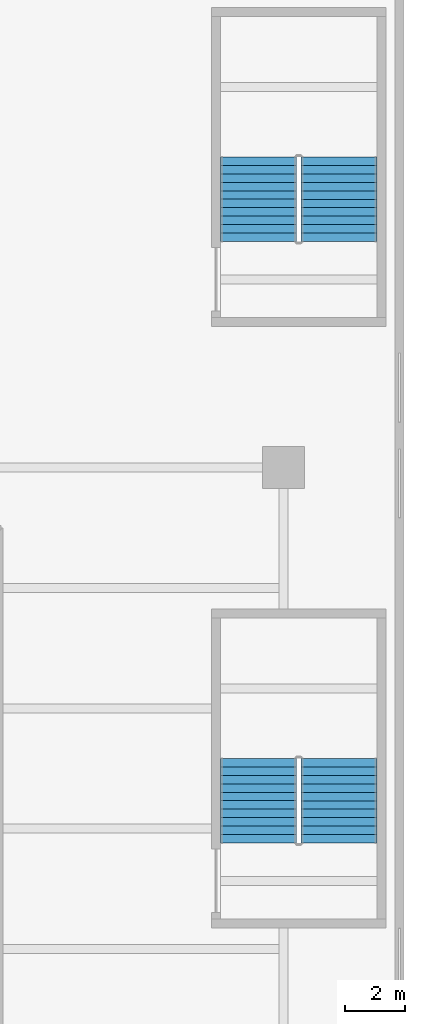
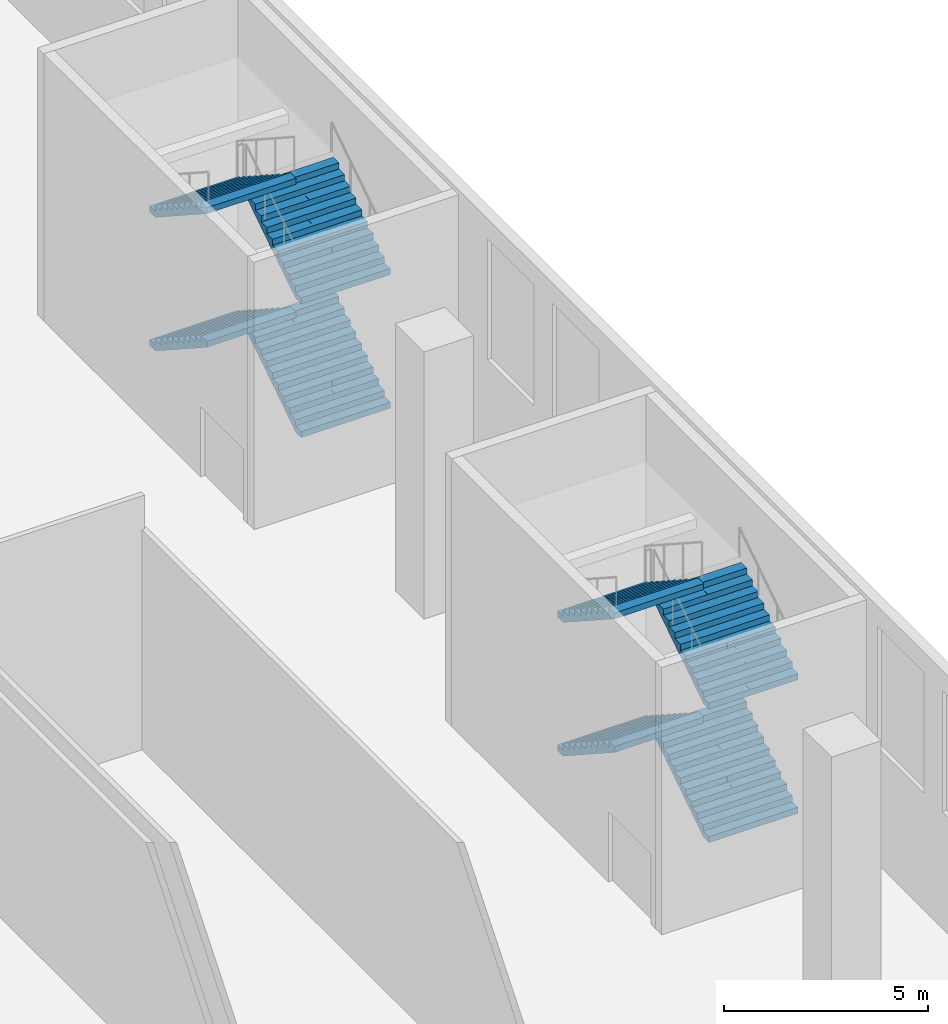
# One storey, part 16 of 27: 8 stair flights, 2 elements without a shape of their own.
"""IFC4 building model written with IfcOpenShell, lengths in metres."""

from ifc_helpers import new_model, si_unit, direction, frame, origin, place, context, subcontext, project, spatial, polyline, outline, extrude, material, type_object, element, aggregate, save


model = new_model("IFC4")

# Units and contexts
model_context = context("Model", 3, precision=1e-05, world=origin(), true_north=direction((0.0, 1.0)))
body_context = subcontext(model_context, "Body", "Model", "MODEL_VIEW")
ifc_project = project(units=[si_unit("LENGTHUNIT", "METRE"), si_unit("AREAUNIT", "SQUARE_METRE"), si_unit("VOLUMEUNIT", "CUBIC_METRE"), si_unit("PLANEANGLEUNIT", "RADIAN"), si_unit("MASSUNIT", "GRAM", prefix="KILO")], contexts=[model_context])

# Site, building, storey
site_placement = place(None, origin())
site = spatial("IfcSite", under=ifc_project, at=site_placement, CompositionType="ELEMENT")
building_placement = place(site_placement, origin())
building = spatial("IfcBuilding", under=site, at=building_placement, Name="Tel Ilan Convention Tower", CompositionType="ELEMENT")
storey_placement = place(building_placement, frame((0.0, 0.0, 18.0)))
storey = spatial("IfcBuildingStorey", under=building, at=storey_placement, Name="L02", CompositionType="ELEMENT", Elevation=18.0)

# Stair, stair flights
ifc_material_1 = material(Name="Concrete C40/50", Category="concrete")
stair_type = type_object("IfcStairType", Name="Pressurised Exit Stair 44 risers 182 mm", PredefinedType="HALF_TURN_STAIR", material=ifc_material_1)
stair_1_placement = place(storey_placement, origin())
stair_1 = element("IfcStair", 1, at=stair_1_placement, inside=storey, type_object=stair_type, Name="L02 Podium Exit Stair P6", PredefinedType="HALF_TURN_STAIR")
ifc_material_2 = material(Name="Precast Concrete C40/50", Category="concrete")
stair_flight_type = type_object("IfcStairFlightType", Name="Concrete Stair Flight 2525 mm 44 risers 182 mm", PredefinedType="STRAIGHT", material=ifc_material_2)
stair_flight_1_placement = place(storey_placement, frame((47.83740234375, -60.47509765625, 0.0), z_axis=(0.0, 0.0, 1.0), x_axis=(0.0, 1.0, 0.0)))
stair_flight_1 = element("IfcStairFlight", 2, at=stair_flight_1_placement, type_object=stair_flight_type, Name="P6 flight 1", NumberOfRisers=11, NumberOfTreads=10, PredefinedType="STRAIGHT", RiserHeight=0.181818182, TreadLength=0.28, context=body_context, shape_type="SweptSolid", body=[
    extrude(outline(polyline([(0.0, 0.0), (0.0, 0.181884765625), (0.280029296875, 0.181884765625), (0.280029296875, 0.363525390625), (0.56005859375, 0.363525390625), (0.56005859375, 0.54541015625), (0.840087890625, 0.54541015625), (0.840087890625, 0.727294921875), (1.1201171875, 0.727294921875), (1.1201171875, 0.9091796875), (1.39990234375, 0.9091796875), (1.39990234375, 1.0908203125), (1.679931640625, 1.0908203125), (1.679931640625, 1.272705078125), (1.9599609375, 1.272705078125), (1.9599609375, 1.45458984375), (2.239990234375, 1.45458984375), (2.239990234375, 1.636474609375), (2.52001953125, 1.636474609375), (2.52001953125, 1.818115234375), (2.800048828125, 1.818115234375), (2.800048828125, 2.0), (2.800048828125, 1.639404296875), (0.275146484375, 0.0), (0.0, 0.0)])), frame((0.0, -0.100341796875, 0.0), z_axis=(0.0, -1.0, 0.0), x_axis=(1.0, 0.0, 0.0)), (0.0, 0.0, 1.0), 1.162109375),
    extrude(outline(polyline([(0.0, 0.0), (0.0, 0.181884765625), (0.280029296875, 0.181884765625), (0.280029296875, 0.363525390625), (0.56005859375, 0.363525390625), (0.56005859375, 0.54541015625), (0.840087890625, 0.54541015625), (0.840087890625, 0.727294921875), (1.1201171875, 0.727294921875), (1.1201171875, 0.9091796875), (1.39990234375, 0.9091796875), (1.39990234375, 1.0908203125), (1.679931640625, 1.0908203125), (1.679931640625, 1.272705078125), (1.9599609375, 1.272705078125), (1.9599609375, 1.45458984375), (2.239990234375, 1.45458984375), (2.239990234375, 1.636474609375), (2.52001953125, 1.636474609375), (2.52001953125, 1.818115234375), (2.800048828125, 1.818115234375), (2.800048828125, 2.0), (2.800048828125, 1.639404296875), (0.275146484375, 0.0), (0.0, 0.0)])), frame((0.0, -0.000244140625, 0.0), z_axis=(0.0, -1.0, 0.0), x_axis=(1.0, 0.0, 0.0)), (0.0, 0.0, 1.0), 0.099609375),
    extrude(outline(polyline([(0.0, 0.0), (0.0, 0.181884765625), (0.280029296875, 0.181884765625), (0.280029296875, 0.363525390625), (0.56005859375, 0.363525390625), (0.56005859375, 0.54541015625), (0.840087890625, 0.54541015625), (0.840087890625, 0.727294921875), (1.1201171875, 0.727294921875), (1.1201171875, 0.9091796875), (1.39990234375, 0.9091796875), (1.39990234375, 1.0908203125), (1.679931640625, 1.0908203125), (1.679931640625, 1.272705078125), (1.9599609375, 1.272705078125), (1.9599609375, 1.45458984375), (2.239990234375, 1.45458984375), (2.239990234375, 1.636474609375), (2.52001953125, 1.636474609375), (2.52001953125, 1.818115234375), (2.800048828125, 1.818115234375), (2.800048828125, 2.0), (2.800048828125, 1.639404296875), (0.275146484375, 0.0), (0.0, 0.0)])), frame((0.0, 0.099853515625, 0.0), z_axis=(0.0, -1.0, 0.0), x_axis=(1.0, 0.0, 0.0)), (0.0, 0.0, 1.0), 0.099609375),
    extrude(outline(polyline([(0.0, 0.0), (0.0, 0.181884765625), (0.280029296875, 0.181884765625), (0.280029296875, 0.363525390625), (0.56005859375, 0.363525390625), (0.56005859375, 0.54541015625), (0.840087890625, 0.54541015625), (0.840087890625, 0.727294921875), (1.1201171875, 0.727294921875), (1.1201171875, 0.9091796875), (1.39990234375, 0.9091796875), (1.39990234375, 1.0908203125), (1.679931640625, 1.0908203125), (1.679931640625, 1.272705078125), (1.9599609375, 1.272705078125), (1.9599609375, 1.45458984375), (2.239990234375, 1.45458984375), (2.239990234375, 1.636474609375), (2.52001953125, 1.636474609375), (2.52001953125, 1.818115234375), (2.800048828125, 1.818115234375), (2.800048828125, 2.0), (2.800048828125, 1.639404296875), (0.275146484375, 0.0), (0.0, 0.0)])), frame((0.0, 1.262451171875, 0.0), z_axis=(0.0, -1.0, 0.0), x_axis=(1.0, 0.0, 0.0)), (0.0, 0.0, 1.0), 1.162109375),
])
stair_flight_2_placement = place(storey_placement, frame((45.16259765625, -57.675048828125, 2.0), z_axis=(0.0, 0.0, 1.0), x_axis=(0.0, -1.0, 0.0)))
stair_flight_2 = element("IfcStairFlight", 3, at=stair_flight_2_placement, type_object=stair_flight_type, Name="P6 flight 2", NumberOfRisers=11, NumberOfTreads=10, PredefinedType="STRAIGHT", RiserHeight=0.181818182, TreadLength=0.28, context=body_context, shape_type="SweptSolid", body=[
    extrude(outline(polyline([(0.0, 0.0), (0.0, 0.181884765625), (0.280029296875, 0.181884765625), (0.280029296875, 0.363525390625), (0.56005859375, 0.363525390625), (0.56005859375, 0.54541015625), (0.840087890625, 0.54541015625), (0.840087890625, 0.727294921875), (1.1201171875, 0.727294921875), (1.1201171875, 0.9091796875), (1.39990234375, 0.9091796875), (1.39990234375, 1.0908203125), (1.679931640625, 1.0908203125), (1.679931640625, 1.272705078125), (1.9599609375, 1.272705078125), (1.9599609375, 1.45458984375), (2.239990234375, 1.45458984375), (2.239990234375, 1.636474609375), (2.52001953125, 1.636474609375), (2.52001953125, 1.818115234375), (2.800048828125, 1.818115234375), (2.800048828125, 2.0), (2.800048828125, 1.639404296875), (0.275146484375, 0.0), (0.0, 0.0)])), frame((0.0, -0.100341796875, 0.0), z_axis=(0.0, -1.0, 0.0), x_axis=(1.0, 0.0, 0.0)), (0.0, 0.0, 1.0), 1.162109375),
    extrude(outline(polyline([(0.0, 0.0), (0.0, 0.181884765625), (0.280029296875, 0.181884765625), (0.280029296875, 0.363525390625), (0.56005859375, 0.363525390625), (0.56005859375, 0.54541015625), (0.840087890625, 0.54541015625), (0.840087890625, 0.727294921875), (1.1201171875, 0.727294921875), (1.1201171875, 0.9091796875), (1.39990234375, 0.9091796875), (1.39990234375, 1.0908203125), (1.679931640625, 1.0908203125), (1.679931640625, 1.272705078125), (1.9599609375, 1.272705078125), (1.9599609375, 1.45458984375), (2.239990234375, 1.45458984375), (2.239990234375, 1.636474609375), (2.52001953125, 1.636474609375), (2.52001953125, 1.818115234375), (2.800048828125, 1.818115234375), (2.800048828125, 2.0), (2.800048828125, 1.639404296875), (0.275146484375, 0.0), (0.0, 0.0)])), frame((0.0, -0.000244140625, 0.0), z_axis=(0.0, -1.0, 0.0), x_axis=(1.0, 0.0, 0.0)), (0.0, 0.0, 1.0), 0.099609375),
    extrude(outline(polyline([(0.0, 0.0), (0.0, 0.181884765625), (0.280029296875, 0.181884765625), (0.280029296875, 0.363525390625), (0.56005859375, 0.363525390625), (0.56005859375, 0.54541015625), (0.840087890625, 0.54541015625), (0.840087890625, 0.727294921875), (1.1201171875, 0.727294921875), (1.1201171875, 0.9091796875), (1.39990234375, 0.9091796875), (1.39990234375, 1.0908203125), (1.679931640625, 1.0908203125), (1.679931640625, 1.272705078125), (1.9599609375, 1.272705078125), (1.9599609375, 1.45458984375), (2.239990234375, 1.45458984375), (2.239990234375, 1.636474609375), (2.52001953125, 1.636474609375), (2.52001953125, 1.818115234375), (2.800048828125, 1.818115234375), (2.800048828125, 2.0), (2.800048828125, 1.639404296875), (0.275146484375, 0.0), (0.0, 0.0)])), frame((0.0, 0.099853515625, 0.0), z_axis=(0.0, -1.0, 0.0), x_axis=(1.0, 0.0, 0.0)), (0.0, 0.0, 1.0), 0.099609375),
    extrude(outline(polyline([(0.0, 0.0), (0.0, 0.181884765625), (0.280029296875, 0.181884765625), (0.280029296875, 0.363525390625), (0.56005859375, 0.363525390625), (0.56005859375, 0.54541015625), (0.840087890625, 0.54541015625), (0.840087890625, 0.727294921875), (1.1201171875, 0.727294921875), (1.1201171875, 0.9091796875), (1.39990234375, 0.9091796875), (1.39990234375, 1.0908203125), (1.679931640625, 1.0908203125), (1.679931640625, 1.272705078125), (1.9599609375, 1.272705078125), (1.9599609375, 1.45458984375), (2.239990234375, 1.45458984375), (2.239990234375, 1.636474609375), (2.52001953125, 1.636474609375), (2.52001953125, 1.818115234375), (2.800048828125, 1.818115234375), (2.800048828125, 2.0), (2.800048828125, 1.639404296875), (0.275146484375, 0.0), (0.0, 0.0)])), frame((0.0, 1.262451171875, 0.0), z_axis=(0.0, -1.0, 0.0), x_axis=(1.0, 0.0, 0.0)), (0.0, 0.0, 1.0), 1.162109375),
])
stair_flight_3_placement = place(storey_placement, frame((47.83740234375, -60.47509765625, 4.0), z_axis=(0.0, 0.0, 1.0), x_axis=(0.0, 1.0, 0.0)))
stair_flight_3 = element("IfcStairFlight", 4, at=stair_flight_3_placement, type_object=stair_flight_type, Name="P6 flight 3", NumberOfRisers=11, NumberOfTreads=10, PredefinedType="STRAIGHT", RiserHeight=0.181818182, TreadLength=0.28, context=body_context, shape_type="SweptSolid", body=[
    extrude(outline(polyline([(0.0, 0.0), (0.0, 0.181884765625), (0.280029296875, 0.181884765625), (0.280029296875, 0.363525390625), (0.56005859375, 0.363525390625), (0.56005859375, 0.54541015625), (0.840087890625, 0.54541015625), (0.840087890625, 0.727294921875), (1.1201171875, 0.727294921875), (1.1201171875, 0.9091796875), (1.39990234375, 0.9091796875), (1.39990234375, 1.0908203125), (1.679931640625, 1.0908203125), (1.679931640625, 1.272705078125), (1.9599609375, 1.272705078125), (1.9599609375, 1.45458984375), (2.239990234375, 1.45458984375), (2.239990234375, 1.636474609375), (2.52001953125, 1.636474609375), (2.52001953125, 1.818115234375), (2.800048828125, 1.818115234375), (2.800048828125, 2.0), (2.800048828125, 1.639404296875), (0.275146484375, 0.0), (0.0, 0.0)])), frame((0.0, -0.100341796875, 0.0), z_axis=(0.0, -1.0, 0.0), x_axis=(1.0, 0.0, 0.0)), (0.0, 0.0, 1.0), 1.162109375),
    extrude(outline(polyline([(0.0, 0.0), (0.0, 0.181884765625), (0.280029296875, 0.181884765625), (0.280029296875, 0.363525390625), (0.56005859375, 0.363525390625), (0.56005859375, 0.54541015625), (0.840087890625, 0.54541015625), (0.840087890625, 0.727294921875), (1.1201171875, 0.727294921875), (1.1201171875, 0.9091796875), (1.39990234375, 0.9091796875), (1.39990234375, 1.0908203125), (1.679931640625, 1.0908203125), (1.679931640625, 1.272705078125), (1.9599609375, 1.272705078125), (1.9599609375, 1.45458984375), (2.239990234375, 1.45458984375), (2.239990234375, 1.636474609375), (2.52001953125, 1.636474609375), (2.52001953125, 1.818115234375), (2.800048828125, 1.818115234375), (2.800048828125, 2.0), (2.800048828125, 1.639404296875), (0.275146484375, 0.0), (0.0, 0.0)])), frame((0.0, -0.000244140625, 0.0), z_axis=(0.0, -1.0, 0.0), x_axis=(1.0, 0.0, 0.0)), (0.0, 0.0, 1.0), 0.099609375),
    extrude(outline(polyline([(0.0, 0.0), (0.0, 0.181884765625), (0.280029296875, 0.181884765625), (0.280029296875, 0.363525390625), (0.56005859375, 0.363525390625), (0.56005859375, 0.54541015625), (0.840087890625, 0.54541015625), (0.840087890625, 0.727294921875), (1.1201171875, 0.727294921875), (1.1201171875, 0.9091796875), (1.39990234375, 0.9091796875), (1.39990234375, 1.0908203125), (1.679931640625, 1.0908203125), (1.679931640625, 1.272705078125), (1.9599609375, 1.272705078125), (1.9599609375, 1.45458984375), (2.239990234375, 1.45458984375), (2.239990234375, 1.636474609375), (2.52001953125, 1.636474609375), (2.52001953125, 1.818115234375), (2.800048828125, 1.818115234375), (2.800048828125, 2.0), (2.800048828125, 1.639404296875), (0.275146484375, 0.0), (0.0, 0.0)])), frame((0.0, 0.099853515625, 0.0), z_axis=(0.0, -1.0, 0.0), x_axis=(1.0, 0.0, 0.0)), (0.0, 0.0, 1.0), 0.099609375),
    extrude(outline(polyline([(0.0, 0.0), (0.0, 0.181884765625), (0.280029296875, 0.181884765625), (0.280029296875, 0.363525390625), (0.56005859375, 0.363525390625), (0.56005859375, 0.54541015625), (0.840087890625, 0.54541015625), (0.840087890625, 0.727294921875), (1.1201171875, 0.727294921875), (1.1201171875, 0.9091796875), (1.39990234375, 0.9091796875), (1.39990234375, 1.0908203125), (1.679931640625, 1.0908203125), (1.679931640625, 1.272705078125), (1.9599609375, 1.272705078125), (1.9599609375, 1.45458984375), (2.239990234375, 1.45458984375), (2.239990234375, 1.636474609375), (2.52001953125, 1.636474609375), (2.52001953125, 1.818115234375), (2.800048828125, 1.818115234375), (2.800048828125, 2.0), (2.800048828125, 1.639404296875), (0.275146484375, 0.0), (0.0, 0.0)])), frame((0.0, 1.262451171875, 0.0), z_axis=(0.0, -1.0, 0.0), x_axis=(1.0, 0.0, 0.0)), (0.0, 0.0, 1.0), 1.162109375),
])
stair_flight_4_placement = place(storey_placement, frame((45.16259765625, -57.675048828125, 6.0), z_axis=(0.0, 0.0, 1.0), x_axis=(0.0, -1.0, 0.0)))
stair_flight_4 = element("IfcStairFlight", 5, at=stair_flight_4_placement, type_object=stair_flight_type, Name="P6 flight 4", NumberOfRisers=11, NumberOfTreads=10, PredefinedType="STRAIGHT", RiserHeight=0.181818182, TreadLength=0.28, context=body_context, shape_type="SweptSolid", body=[
    extrude(outline(polyline([(0.0, 0.0), (0.0, 0.181884765625), (0.280029296875, 0.181884765625), (0.280029296875, 0.363525390625), (0.56005859375, 0.363525390625), (0.56005859375, 0.54541015625), (0.840087890625, 0.54541015625), (0.840087890625, 0.727294921875), (1.1201171875, 0.727294921875), (1.1201171875, 0.9091796875), (1.39990234375, 0.9091796875), (1.39990234375, 1.0908203125), (1.679931640625, 1.0908203125), (1.679931640625, 1.272705078125), (1.9599609375, 1.272705078125), (1.9599609375, 1.45458984375), (2.239990234375, 1.45458984375), (2.239990234375, 1.636474609375), (2.52001953125, 1.636474609375), (2.52001953125, 1.818115234375), (2.800048828125, 1.818115234375), (2.800048828125, 2.0), (2.800048828125, 1.639404296875), (0.275146484375, 0.0), (0.0, 0.0)])), frame((0.0, -0.100341796875, 0.0), z_axis=(0.0, -1.0, 0.0), x_axis=(1.0, 0.0, 0.0)), (0.0, 0.0, 1.0), 1.162109375),
    extrude(outline(polyline([(0.0, 0.0), (0.0, 0.181884765625), (0.280029296875, 0.181884765625), (0.280029296875, 0.363525390625), (0.56005859375, 0.363525390625), (0.56005859375, 0.54541015625), (0.840087890625, 0.54541015625), (0.840087890625, 0.727294921875), (1.1201171875, 0.727294921875), (1.1201171875, 0.9091796875), (1.39990234375, 0.9091796875), (1.39990234375, 1.0908203125), (1.679931640625, 1.0908203125), (1.679931640625, 1.272705078125), (1.9599609375, 1.272705078125), (1.9599609375, 1.45458984375), (2.239990234375, 1.45458984375), (2.239990234375, 1.636474609375), (2.52001953125, 1.636474609375), (2.52001953125, 1.818115234375), (2.800048828125, 1.818115234375), (2.800048828125, 2.0), (2.800048828125, 1.639404296875), (0.275146484375, 0.0), (0.0, 0.0)])), frame((0.0, -0.000244140625, 0.0), z_axis=(0.0, -1.0, 0.0), x_axis=(1.0, 0.0, 0.0)), (0.0, 0.0, 1.0), 0.099609375),
    extrude(outline(polyline([(0.0, 0.0), (0.0, 0.181884765625), (0.280029296875, 0.181884765625), (0.280029296875, 0.363525390625), (0.56005859375, 0.363525390625), (0.56005859375, 0.54541015625), (0.840087890625, 0.54541015625), (0.840087890625, 0.727294921875), (1.1201171875, 0.727294921875), (1.1201171875, 0.9091796875), (1.39990234375, 0.9091796875), (1.39990234375, 1.0908203125), (1.679931640625, 1.0908203125), (1.679931640625, 1.272705078125), (1.9599609375, 1.272705078125), (1.9599609375, 1.45458984375), (2.239990234375, 1.45458984375), (2.239990234375, 1.636474609375), (2.52001953125, 1.636474609375), (2.52001953125, 1.818115234375), (2.800048828125, 1.818115234375), (2.800048828125, 2.0), (2.800048828125, 1.639404296875), (0.275146484375, 0.0), (0.0, 0.0)])), frame((0.0, 0.099853515625, 0.0), z_axis=(0.0, -1.0, 0.0), x_axis=(1.0, 0.0, 0.0)), (0.0, 0.0, 1.0), 0.099609375),
    extrude(outline(polyline([(0.0, 0.0), (0.0, 0.181884765625), (0.280029296875, 0.181884765625), (0.280029296875, 0.363525390625), (0.56005859375, 0.363525390625), (0.56005859375, 0.54541015625), (0.840087890625, 0.54541015625), (0.840087890625, 0.727294921875), (1.1201171875, 0.727294921875), (1.1201171875, 0.9091796875), (1.39990234375, 0.9091796875), (1.39990234375, 1.0908203125), (1.679931640625, 1.0908203125), (1.679931640625, 1.272705078125), (1.9599609375, 1.272705078125), (1.9599609375, 1.45458984375), (2.239990234375, 1.45458984375), (2.239990234375, 1.636474609375), (2.52001953125, 1.636474609375), (2.52001953125, 1.818115234375), (2.800048828125, 1.818115234375), (2.800048828125, 2.0), (2.800048828125, 1.639404296875), (0.275146484375, 0.0), (0.0, 0.0)])), frame((0.0, 1.262451171875, 0.0), z_axis=(0.0, -1.0, 0.0), x_axis=(1.0, 0.0, 0.0)), (0.0, 0.0, 1.0), 1.162109375),
])
aggregate(stair_1, [stair_flight_1, stair_flight_2, stair_flight_3, stair_flight_4])

stair_2_placement = place(storey_placement, origin())
stair_2 = element("IfcStair", 6, at=stair_2_placement, inside=storey, type_object=stair_type, Name="L02 Podium Exit Stair P8", PredefinedType="HALF_TURN_STAIR")
stair_flight_5_placement = place(storey_placement, frame((47.83740234375, -40.47509765625, 0.0), z_axis=(0.0, 0.0, 1.0), x_axis=(0.0, 1.0, 0.0)))
stair_flight_5 = element("IfcStairFlight", 7, at=stair_flight_5_placement, type_object=stair_flight_type, Name="P8 flight 1", NumberOfRisers=11, NumberOfTreads=10, PredefinedType="STRAIGHT", RiserHeight=0.181818182, TreadLength=0.28, context=body_context, shape_type="SweptSolid", body=[
    extrude(outline(polyline([(0.0, 0.0), (0.0, 0.181884765625), (0.280029296875, 0.181884765625), (0.280029296875, 0.363525390625), (0.56005859375, 0.363525390625), (0.56005859375, 0.54541015625), (0.840087890625, 0.54541015625), (0.840087890625, 0.727294921875), (1.1201171875, 0.727294921875), (1.1201171875, 0.9091796875), (1.39990234375, 0.9091796875), (1.39990234375, 1.0908203125), (1.679931640625, 1.0908203125), (1.679931640625, 1.272705078125), (1.9599609375, 1.272705078125), (1.9599609375, 1.45458984375), (2.239990234375, 1.45458984375), (2.239990234375, 1.636474609375), (2.52001953125, 1.636474609375), (2.52001953125, 1.818115234375), (2.800048828125, 1.818115234375), (2.800048828125, 2.0), (2.800048828125, 1.639404296875), (0.275146484375, 0.0), (0.0, 0.0)])), frame((0.0, -0.100341796875, 0.0), z_axis=(0.0, -1.0, 0.0), x_axis=(1.0, 0.0, 0.0)), (0.0, 0.0, 1.0), 1.162109375),
    extrude(outline(polyline([(0.0, 0.0), (0.0, 0.181884765625), (0.280029296875, 0.181884765625), (0.280029296875, 0.363525390625), (0.56005859375, 0.363525390625), (0.56005859375, 0.54541015625), (0.840087890625, 0.54541015625), (0.840087890625, 0.727294921875), (1.1201171875, 0.727294921875), (1.1201171875, 0.9091796875), (1.39990234375, 0.9091796875), (1.39990234375, 1.0908203125), (1.679931640625, 1.0908203125), (1.679931640625, 1.272705078125), (1.9599609375, 1.272705078125), (1.9599609375, 1.45458984375), (2.239990234375, 1.45458984375), (2.239990234375, 1.636474609375), (2.52001953125, 1.636474609375), (2.52001953125, 1.818115234375), (2.800048828125, 1.818115234375), (2.800048828125, 2.0), (2.800048828125, 1.639404296875), (0.275146484375, 0.0), (0.0, 0.0)])), frame((0.0, -0.000244140625, 0.0), z_axis=(0.0, -1.0, 0.0), x_axis=(1.0, 0.0, 0.0)), (0.0, 0.0, 1.0), 0.099609375),
    extrude(outline(polyline([(0.0, 0.0), (0.0, 0.181884765625), (0.280029296875, 0.181884765625), (0.280029296875, 0.363525390625), (0.56005859375, 0.363525390625), (0.56005859375, 0.54541015625), (0.840087890625, 0.54541015625), (0.840087890625, 0.727294921875), (1.1201171875, 0.727294921875), (1.1201171875, 0.9091796875), (1.39990234375, 0.9091796875), (1.39990234375, 1.0908203125), (1.679931640625, 1.0908203125), (1.679931640625, 1.272705078125), (1.9599609375, 1.272705078125), (1.9599609375, 1.45458984375), (2.239990234375, 1.45458984375), (2.239990234375, 1.636474609375), (2.52001953125, 1.636474609375), (2.52001953125, 1.818115234375), (2.800048828125, 1.818115234375), (2.800048828125, 2.0), (2.800048828125, 1.639404296875), (0.275146484375, 0.0), (0.0, 0.0)])), frame((0.0, 0.099853515625, 0.0), z_axis=(0.0, -1.0, 0.0), x_axis=(1.0, 0.0, 0.0)), (0.0, 0.0, 1.0), 0.099609375),
    extrude(outline(polyline([(0.0, 0.0), (0.0, 0.181884765625), (0.280029296875, 0.181884765625), (0.280029296875, 0.363525390625), (0.56005859375, 0.363525390625), (0.56005859375, 0.54541015625), (0.840087890625, 0.54541015625), (0.840087890625, 0.727294921875), (1.1201171875, 0.727294921875), (1.1201171875, 0.9091796875), (1.39990234375, 0.9091796875), (1.39990234375, 1.0908203125), (1.679931640625, 1.0908203125), (1.679931640625, 1.272705078125), (1.9599609375, 1.272705078125), (1.9599609375, 1.45458984375), (2.239990234375, 1.45458984375), (2.239990234375, 1.636474609375), (2.52001953125, 1.636474609375), (2.52001953125, 1.818115234375), (2.800048828125, 1.818115234375), (2.800048828125, 2.0), (2.800048828125, 1.639404296875), (0.275146484375, 0.0), (0.0, 0.0)])), frame((0.0, 1.262451171875, 0.0), z_axis=(0.0, -1.0, 0.0), x_axis=(1.0, 0.0, 0.0)), (0.0, 0.0, 1.0), 1.162109375),
])
stair_flight_6_placement = place(storey_placement, frame((45.16259765625, -37.675048828125, 2.0), z_axis=(0.0, 0.0, 1.0), x_axis=(0.0, -1.0, 0.0)))
stair_flight_6 = element("IfcStairFlight", 8, at=stair_flight_6_placement, type_object=stair_flight_type, Name="P8 flight 2", NumberOfRisers=11, NumberOfTreads=10, PredefinedType="STRAIGHT", RiserHeight=0.181818182, TreadLength=0.28, context=body_context, shape_type="SweptSolid", body=[
    extrude(outline(polyline([(0.0, 0.0), (0.0, 0.181884765625), (0.280029296875, 0.181884765625), (0.280029296875, 0.363525390625), (0.56005859375, 0.363525390625), (0.56005859375, 0.54541015625), (0.840087890625, 0.54541015625), (0.840087890625, 0.727294921875), (1.1201171875, 0.727294921875), (1.1201171875, 0.9091796875), (1.39990234375, 0.9091796875), (1.39990234375, 1.0908203125), (1.679931640625, 1.0908203125), (1.679931640625, 1.272705078125), (1.9599609375, 1.272705078125), (1.9599609375, 1.45458984375), (2.239990234375, 1.45458984375), (2.239990234375, 1.636474609375), (2.52001953125, 1.636474609375), (2.52001953125, 1.818115234375), (2.800048828125, 1.818115234375), (2.800048828125, 2.0), (2.800048828125, 1.639404296875), (0.275146484375, 0.0), (0.0, 0.0)])), frame((0.0, -0.100341796875, 0.0), z_axis=(0.0, -1.0, 0.0), x_axis=(1.0, 0.0, 0.0)), (0.0, 0.0, 1.0), 1.162109375),
    extrude(outline(polyline([(0.0, 0.0), (0.0, 0.181884765625), (0.280029296875, 0.181884765625), (0.280029296875, 0.363525390625), (0.56005859375, 0.363525390625), (0.56005859375, 0.54541015625), (0.840087890625, 0.54541015625), (0.840087890625, 0.727294921875), (1.1201171875, 0.727294921875), (1.1201171875, 0.9091796875), (1.39990234375, 0.9091796875), (1.39990234375, 1.0908203125), (1.679931640625, 1.0908203125), (1.679931640625, 1.272705078125), (1.9599609375, 1.272705078125), (1.9599609375, 1.45458984375), (2.239990234375, 1.45458984375), (2.239990234375, 1.636474609375), (2.52001953125, 1.636474609375), (2.52001953125, 1.818115234375), (2.800048828125, 1.818115234375), (2.800048828125, 2.0), (2.800048828125, 1.639404296875), (0.275146484375, 0.0), (0.0, 0.0)])), frame((0.0, -0.000244140625, 0.0), z_axis=(0.0, -1.0, 0.0), x_axis=(1.0, 0.0, 0.0)), (0.0, 0.0, 1.0), 0.099609375),
    extrude(outline(polyline([(0.0, 0.0), (0.0, 0.181884765625), (0.280029296875, 0.181884765625), (0.280029296875, 0.363525390625), (0.56005859375, 0.363525390625), (0.56005859375, 0.54541015625), (0.840087890625, 0.54541015625), (0.840087890625, 0.727294921875), (1.1201171875, 0.727294921875), (1.1201171875, 0.9091796875), (1.39990234375, 0.9091796875), (1.39990234375, 1.0908203125), (1.679931640625, 1.0908203125), (1.679931640625, 1.272705078125), (1.9599609375, 1.272705078125), (1.9599609375, 1.45458984375), (2.239990234375, 1.45458984375), (2.239990234375, 1.636474609375), (2.52001953125, 1.636474609375), (2.52001953125, 1.818115234375), (2.800048828125, 1.818115234375), (2.800048828125, 2.0), (2.800048828125, 1.639404296875), (0.275146484375, 0.0), (0.0, 0.0)])), frame((0.0, 0.099853515625, 0.0), z_axis=(0.0, -1.0, 0.0), x_axis=(1.0, 0.0, 0.0)), (0.0, 0.0, 1.0), 0.099609375),
    extrude(outline(polyline([(0.0, 0.0), (0.0, 0.181884765625), (0.280029296875, 0.181884765625), (0.280029296875, 0.363525390625), (0.56005859375, 0.363525390625), (0.56005859375, 0.54541015625), (0.840087890625, 0.54541015625), (0.840087890625, 0.727294921875), (1.1201171875, 0.727294921875), (1.1201171875, 0.9091796875), (1.39990234375, 0.9091796875), (1.39990234375, 1.0908203125), (1.679931640625, 1.0908203125), (1.679931640625, 1.272705078125), (1.9599609375, 1.272705078125), (1.9599609375, 1.45458984375), (2.239990234375, 1.45458984375), (2.239990234375, 1.636474609375), (2.52001953125, 1.636474609375), (2.52001953125, 1.818115234375), (2.800048828125, 1.818115234375), (2.800048828125, 2.0), (2.800048828125, 1.639404296875), (0.275146484375, 0.0), (0.0, 0.0)])), frame((0.0, 1.262451171875, 0.0), z_axis=(0.0, -1.0, 0.0), x_axis=(1.0, 0.0, 0.0)), (0.0, 0.0, 1.0), 1.162109375),
])
stair_flight_7_placement = place(storey_placement, frame((47.83740234375, -40.47509765625, 4.0), z_axis=(0.0, 0.0, 1.0), x_axis=(0.0, 1.0, 0.0)))
stair_flight_7 = element("IfcStairFlight", 9, at=stair_flight_7_placement, type_object=stair_flight_type, Name="P8 flight 3", NumberOfRisers=11, NumberOfTreads=10, PredefinedType="STRAIGHT", RiserHeight=0.181818182, TreadLength=0.28, context=body_context, shape_type="SweptSolid", body=[
    extrude(outline(polyline([(0.0, 0.0), (0.0, 0.181884765625), (0.280029296875, 0.181884765625), (0.280029296875, 0.363525390625), (0.56005859375, 0.363525390625), (0.56005859375, 0.54541015625), (0.840087890625, 0.54541015625), (0.840087890625, 0.727294921875), (1.1201171875, 0.727294921875), (1.1201171875, 0.9091796875), (1.39990234375, 0.9091796875), (1.39990234375, 1.0908203125), (1.679931640625, 1.0908203125), (1.679931640625, 1.272705078125), (1.9599609375, 1.272705078125), (1.9599609375, 1.45458984375), (2.239990234375, 1.45458984375), (2.239990234375, 1.636474609375), (2.52001953125, 1.636474609375), (2.52001953125, 1.818115234375), (2.800048828125, 1.818115234375), (2.800048828125, 2.0), (2.800048828125, 1.639404296875), (0.275146484375, 0.0), (0.0, 0.0)])), frame((0.0, -0.100341796875, 0.0), z_axis=(0.0, -1.0, 0.0), x_axis=(1.0, 0.0, 0.0)), (0.0, 0.0, 1.0), 1.162109375),
    extrude(outline(polyline([(0.0, 0.0), (0.0, 0.181884765625), (0.280029296875, 0.181884765625), (0.280029296875, 0.363525390625), (0.56005859375, 0.363525390625), (0.56005859375, 0.54541015625), (0.840087890625, 0.54541015625), (0.840087890625, 0.727294921875), (1.1201171875, 0.727294921875), (1.1201171875, 0.9091796875), (1.39990234375, 0.9091796875), (1.39990234375, 1.0908203125), (1.679931640625, 1.0908203125), (1.679931640625, 1.272705078125), (1.9599609375, 1.272705078125), (1.9599609375, 1.45458984375), (2.239990234375, 1.45458984375), (2.239990234375, 1.636474609375), (2.52001953125, 1.636474609375), (2.52001953125, 1.818115234375), (2.800048828125, 1.818115234375), (2.800048828125, 2.0), (2.800048828125, 1.639404296875), (0.275146484375, 0.0), (0.0, 0.0)])), frame((0.0, -0.000244140625, 0.0), z_axis=(0.0, -1.0, 0.0), x_axis=(1.0, 0.0, 0.0)), (0.0, 0.0, 1.0), 0.099609375),
    extrude(outline(polyline([(0.0, 0.0), (0.0, 0.181884765625), (0.280029296875, 0.181884765625), (0.280029296875, 0.363525390625), (0.56005859375, 0.363525390625), (0.56005859375, 0.54541015625), (0.840087890625, 0.54541015625), (0.840087890625, 0.727294921875), (1.1201171875, 0.727294921875), (1.1201171875, 0.9091796875), (1.39990234375, 0.9091796875), (1.39990234375, 1.0908203125), (1.679931640625, 1.0908203125), (1.679931640625, 1.272705078125), (1.9599609375, 1.272705078125), (1.9599609375, 1.45458984375), (2.239990234375, 1.45458984375), (2.239990234375, 1.636474609375), (2.52001953125, 1.636474609375), (2.52001953125, 1.818115234375), (2.800048828125, 1.818115234375), (2.800048828125, 2.0), (2.800048828125, 1.639404296875), (0.275146484375, 0.0), (0.0, 0.0)])), frame((0.0, 0.099853515625, 0.0), z_axis=(0.0, -1.0, 0.0), x_axis=(1.0, 0.0, 0.0)), (0.0, 0.0, 1.0), 0.099609375),
    extrude(outline(polyline([(0.0, 0.0), (0.0, 0.181884765625), (0.280029296875, 0.181884765625), (0.280029296875, 0.363525390625), (0.56005859375, 0.363525390625), (0.56005859375, 0.54541015625), (0.840087890625, 0.54541015625), (0.840087890625, 0.727294921875), (1.1201171875, 0.727294921875), (1.1201171875, 0.9091796875), (1.39990234375, 0.9091796875), (1.39990234375, 1.0908203125), (1.679931640625, 1.0908203125), (1.679931640625, 1.272705078125), (1.9599609375, 1.272705078125), (1.9599609375, 1.45458984375), (2.239990234375, 1.45458984375), (2.239990234375, 1.636474609375), (2.52001953125, 1.636474609375), (2.52001953125, 1.818115234375), (2.800048828125, 1.818115234375), (2.800048828125, 2.0), (2.800048828125, 1.639404296875), (0.275146484375, 0.0), (0.0, 0.0)])), frame((0.0, 1.262451171875, 0.0), z_axis=(0.0, -1.0, 0.0), x_axis=(1.0, 0.0, 0.0)), (0.0, 0.0, 1.0), 1.162109375),
])
stair_flight_8_placement = place(storey_placement, frame((45.16259765625, -37.675048828125, 6.0), z_axis=(0.0, 0.0, 1.0), x_axis=(0.0, -1.0, 0.0)))
stair_flight_8 = element("IfcStairFlight", 10, at=stair_flight_8_placement, type_object=stair_flight_type, Name="P8 flight 4", NumberOfRisers=11, NumberOfTreads=10, PredefinedType="STRAIGHT", RiserHeight=0.181818182, TreadLength=0.28, context=body_context, shape_type="SweptSolid", body=[
    extrude(outline(polyline([(0.0, 0.0), (0.0, 0.181884765625), (0.280029296875, 0.181884765625), (0.280029296875, 0.363525390625), (0.56005859375, 0.363525390625), (0.56005859375, 0.54541015625), (0.840087890625, 0.54541015625), (0.840087890625, 0.727294921875), (1.1201171875, 0.727294921875), (1.1201171875, 0.9091796875), (1.39990234375, 0.9091796875), (1.39990234375, 1.0908203125), (1.679931640625, 1.0908203125), (1.679931640625, 1.272705078125), (1.9599609375, 1.272705078125), (1.9599609375, 1.45458984375), (2.239990234375, 1.45458984375), (2.239990234375, 1.636474609375), (2.52001953125, 1.636474609375), (2.52001953125, 1.818115234375), (2.800048828125, 1.818115234375), (2.800048828125, 2.0), (2.800048828125, 1.639404296875), (0.275146484375, 0.0), (0.0, 0.0)])), frame((0.0, -0.100341796875, 0.0), z_axis=(0.0, -1.0, 0.0), x_axis=(1.0, 0.0, 0.0)), (0.0, 0.0, 1.0), 1.162109375),
    extrude(outline(polyline([(0.0, 0.0), (0.0, 0.181884765625), (0.280029296875, 0.181884765625), (0.280029296875, 0.363525390625), (0.56005859375, 0.363525390625), (0.56005859375, 0.54541015625), (0.840087890625, 0.54541015625), (0.840087890625, 0.727294921875), (1.1201171875, 0.727294921875), (1.1201171875, 0.9091796875), (1.39990234375, 0.9091796875), (1.39990234375, 1.0908203125), (1.679931640625, 1.0908203125), (1.679931640625, 1.272705078125), (1.9599609375, 1.272705078125), (1.9599609375, 1.45458984375), (2.239990234375, 1.45458984375), (2.239990234375, 1.636474609375), (2.52001953125, 1.636474609375), (2.52001953125, 1.818115234375), (2.800048828125, 1.818115234375), (2.800048828125, 2.0), (2.800048828125, 1.639404296875), (0.275146484375, 0.0), (0.0, 0.0)])), frame((0.0, -0.000244140625, 0.0), z_axis=(0.0, -1.0, 0.0), x_axis=(1.0, 0.0, 0.0)), (0.0, 0.0, 1.0), 0.099609375),
    extrude(outline(polyline([(0.0, 0.0), (0.0, 0.181884765625), (0.280029296875, 0.181884765625), (0.280029296875, 0.363525390625), (0.56005859375, 0.363525390625), (0.56005859375, 0.54541015625), (0.840087890625, 0.54541015625), (0.840087890625, 0.727294921875), (1.1201171875, 0.727294921875), (1.1201171875, 0.9091796875), (1.39990234375, 0.9091796875), (1.39990234375, 1.0908203125), (1.679931640625, 1.0908203125), (1.679931640625, 1.272705078125), (1.9599609375, 1.272705078125), (1.9599609375, 1.45458984375), (2.239990234375, 1.45458984375), (2.239990234375, 1.636474609375), (2.52001953125, 1.636474609375), (2.52001953125, 1.818115234375), (2.800048828125, 1.818115234375), (2.800048828125, 2.0), (2.800048828125, 1.639404296875), (0.275146484375, 0.0), (0.0, 0.0)])), frame((0.0, 0.099853515625, 0.0), z_axis=(0.0, -1.0, 0.0), x_axis=(1.0, 0.0, 0.0)), (0.0, 0.0, 1.0), 0.099609375),
    extrude(outline(polyline([(0.0, 0.0), (0.0, 0.181884765625), (0.280029296875, 0.181884765625), (0.280029296875, 0.363525390625), (0.56005859375, 0.363525390625), (0.56005859375, 0.54541015625), (0.840087890625, 0.54541015625), (0.840087890625, 0.727294921875), (1.1201171875, 0.727294921875), (1.1201171875, 0.9091796875), (1.39990234375, 0.9091796875), (1.39990234375, 1.0908203125), (1.679931640625, 1.0908203125), (1.679931640625, 1.272705078125), (1.9599609375, 1.272705078125), (1.9599609375, 1.45458984375), (2.239990234375, 1.45458984375), (2.239990234375, 1.636474609375), (2.52001953125, 1.636474609375), (2.52001953125, 1.818115234375), (2.800048828125, 1.818115234375), (2.800048828125, 2.0), (2.800048828125, 1.639404296875), (0.275146484375, 0.0), (0.0, 0.0)])), frame((0.0, 1.262451171875, 0.0), z_axis=(0.0, -1.0, 0.0), x_axis=(1.0, 0.0, 0.0)), (0.0, 0.0, 1.0), 1.162109375),
])
aggregate(stair_2, [stair_flight_5, stair_flight_6, stair_flight_7, stair_flight_8])

save(model, "model.ifc")
